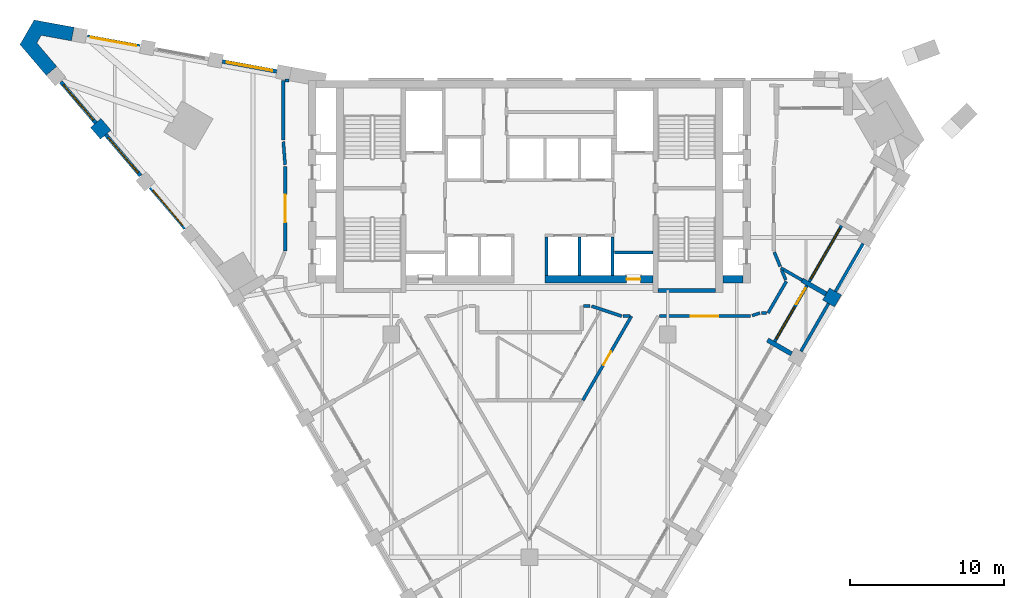
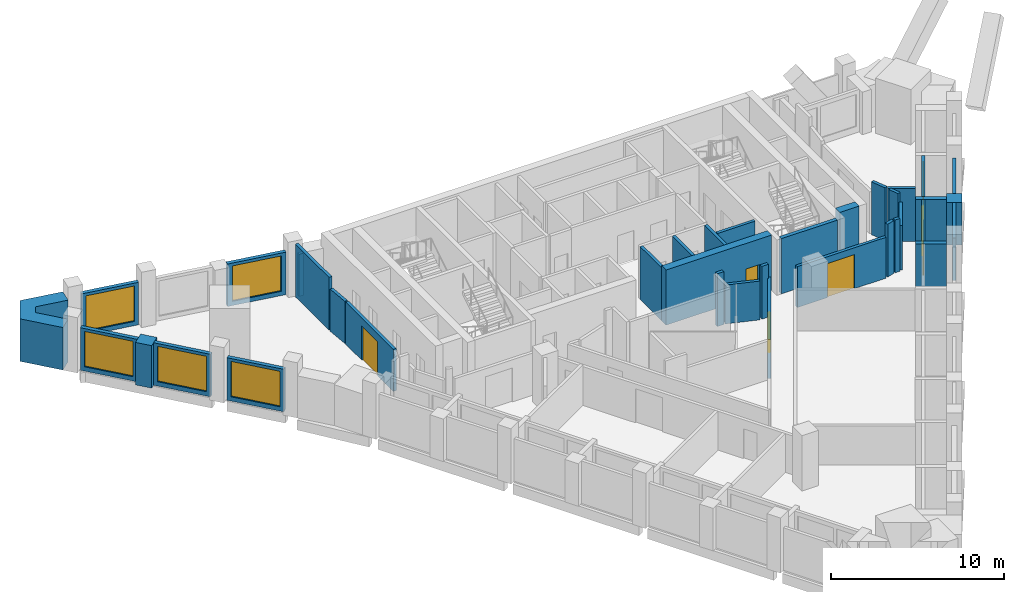
# One storey, part 5 of 9: 36 walls, 7 windows, 5 doors, 12 openings.
"""IFC4 building model written with IfcOpenShell, lengths in metres."""

from ifc_helpers import new_model, si_unit, direction, frame, frame_2d, origin, place, context, subcontext, project, spatial, polyline, rectangle, outline, extrude, material, layer, layer_set, type_object, element, fill, save


model = new_model("IFC4")

# Units and contexts
model_context = context("Model", 3, precision=1e-05, world=origin(), true_north=direction((0.0, 1.0)))
body_context = subcontext(model_context, "Body", "Model", "MODEL_VIEW")
ifc_project = project(units=[si_unit("LENGTHUNIT", "METRE"), si_unit("AREAUNIT", "SQUARE_METRE"), si_unit("VOLUMEUNIT", "CUBIC_METRE"), si_unit("PLANEANGLEUNIT", "RADIAN"), si_unit("MASSUNIT", "GRAM", prefix="KILO")], contexts=[model_context])

# Site, building, storey
site_placement = place(None, origin())
site = spatial("IfcSite", under=ifc_project, at=site_placement, CompositionType="ELEMENT")
building_placement = place(site_placement, origin())
building = spatial("IfcBuilding", under=site, at=building_placement, Name="Calabash Gate Tower", CompositionType="ELEMENT")
storey_placement = place(building_placement, frame((0.0, 0.0, 235.39990234375)))
storey = spatial("IfcBuildingStorey", under=building, at=storey_placement, Name="L56", CompositionType="ELEMENT", Elevation=235.39990234375)

# Walls
ifc_material_1 = material(Name="Terracotta brick masonry, exposed face", Category="masonry")
ifc_layer_1 = layer(ifc_material_1, 0.89990234375)
ifc_layer_set_1 = layer_set([ifc_layer_1], Name="Brick end wall 900")
wall_type_1 = type_object("IfcWallType", Name="Brick end wall 900", PredefinedType="SOLIDWALL", material=ifc_layer_set_1)
wall_1_placement = place(storey_placement, frame((19.306396484375, 5.14013671875, 0.0), z_axis=(0.0, 0.0, 1.0), x_axis=(0.865896406789, -0.500223362819, 0.0)))
element("IfcWall", 1, at=wall_1_placement, inside=storey, type_object=wall_type_1, Name="Brick pier S16 SE2.7", PredefinedType="SOLIDWALL", context=body_context, shape_type="SweptSolid", body=[
    extrude(rectangle(XDim=0.89990234375, YDim=0.89990234375, at=frame_2d((0.449951171875, 0.0))), origin(), (0.0, 0.0, 1.0), 3.0),
])
wall_2_placement = place(storey_placement, frame((-27.587890625, 15.511474609375, 0.0), z_axis=(0.0, 0.0, 1.0), x_axis=(-0.647641360564, 0.761945318305, 0.0)))
element("IfcWall", 2, at=wall_2_placement, inside=storey, type_object=wall_type_1, Name="Brick pier S16 wedge7.1", PredefinedType="SOLIDWALL", context=body_context, shape_type="SweptSolid", body=[
    extrude(rectangle(XDim=1.00390625, YDim=0.89990234375, at=frame_2d((0.501953125, 0.0))), origin(), (0.0, 0.0, 1.0), 3.0),
])
wall_3_placement = place(storey_placement, origin())
element("IfcWall", 3, at=wall_3_placement, inside=storey, type_object=wall_type_1, Name="Brick end wall S16 2", PredefinedType="SOLIDWALL", context=body_context, shape_type="SweptSolid", body=[
    extrude(outline(polyline([(-31.784423828125, 21.978759765625), (-29.816650390625, 21.618896484375), (-29.654541015625, 22.504150390625), (-32.24658203125, 22.978271484375), (-33.168701171875, 21.38134765625), (-31.4619140625, 19.373779296875), (-30.776123046875, 19.956787109375), (-32.072021484375, 21.48095703125), (-31.784423828125, 21.978759765625)])), origin(), (0.0, 0.0, 1.0), 3.0),
])
ifc_material_2 = material(Name="Terracotta brick masonry, exposed face", Category="masonry")
ifc_layer_2 = layer(ifc_material_2, 0.300048828125)
ifc_layer_set_2 = layer_set([ifc_layer_2], Name="Brick loggia cheek wall 300")
wall_type_2 = type_object("IfcWallType", Name="Brick loggia cheek wall 300", PredefinedType="SOLIDWALL", material=ifc_layer_set_2)
wall_4_placement = place(storey_placement, frame((17.05615234375, 1.242919921875, 0.0), z_axis=(0.0, 0.0, 1.0), x_axis=(-0.866013897511, 0.50001992892, 0.0)))
element("IfcWall", 4, at=wall_4_placement, inside=storey, type_object=wall_type_2, Name="Loggia cheek S16 SE2.6", PredefinedType="SOLIDWALL", context=body_context, shape_type="SweptSolid", body=[
    extrude(rectangle(XDim=1.7998046875, YDim=0.300048828125, at=frame_2d((0.89990234375, 0.0))), origin(), (0.0, 0.0, 1.0), 3.0),
])
wall_5_placement = place(storey_placement, frame((19.306396484375, 5.14013671875, 0.0), z_axis=(0.0, 0.0, 1.0), x_axis=(-0.866047807691, 0.499961193289, 0.0)))
element("IfcWall", 5, at=wall_5_placement, inside=storey, type_object=wall_type_2, Name="Loggia cheek S16 SE2.7", PredefinedType="SOLIDWALL", context=body_context, shape_type="SweptSolid", body=[
    extrude(rectangle(XDim=1.800048828125, YDim=0.300048828125, at=frame_2d((0.89990234375, 0.0))), origin(), (0.0, 0.0, 1.0), 3.0),
])
ifc_material_3 = material(Name="Concrete C70/85", Category="concrete")
ifc_layer_3 = layer(ifc_material_3, 0.25)
ifc_layer_set_3 = layer_set([ifc_layer_3], Name="Core wall 250 Concrete C70/85")
wall_type_3 = type_object("IfcWallType", Name="Core wall 250 Concrete C70/85", PredefinedType="SHEAR", material=ifc_layer_set_3)
wall_6_placement = place(storey_placement, frame((8.35009765625, 5.377685546875, 0.0), z_axis=(0.0, 0.0, 1.0), x_axis=(1.0, 0.0, 0.0)))
element("IfcWall", 6, at=wall_6_placement, inside=storey, type_object=wall_type_3, Name="Core wall Z4-SSE L56", PredefinedType="SHEAR", context=body_context, shape_type="SweptSolid", body=[
    extrude(rectangle(XDim=3.75, YDim=0.25, at=frame_2d((1.875, 0.0))), origin(), (0.0, 0.0, 1.0), 3.900146484375),
])

# Wall, opening, door
ifc_material_4 = material(Name="Concrete C70/85", Category="concrete")
ifc_layer_4 = layer(ifc_material_4, 0.5)
ifc_layer_set_4 = layer_set([ifc_layer_4], Name="Core wall 500 Concrete C70/85")
wall_type_4 = type_object("IfcWallType", Name="Core wall 500 Concrete C70/85", PredefinedType="SHEAR", material=ifc_layer_set_4)
wall_7_placement = place(storey_placement, frame((1.0, 6.1025390625, 0.0), z_axis=(0.0, 0.0, 1.0), x_axis=(1.0, 0.0, 0.0)))
wall_7 = element("IfcWall", 7, at=wall_7_placement, inside=storey, type_object=wall_type_4, Name="Core wall Z4-SB L56", PredefinedType="SHEAR", context=body_context, shape_type="SweptSolid", body=[
    extrude(rectangle(XDim=7.050048828125, YDim=0.5, at=frame_2d((3.52490234375, 0.0))), origin(), (0.0, 0.0, 1.0), 3.900146484375),
])
opening_1_placement = place(wall_7_placement, frame((5.324951171875, 0.0, 0.0)))
opening_1 = element("IfcOpeningElement", 8, at=opening_1_placement, cuts=wall_7, Name="Opening O8-015", PredefinedType="OPENING", context=body_context, shape_type="SweptSolid", body=[
    extrude(rectangle(XDim=0.89990234375, YDim=2.10009765625, at=frame_2d((0.449951171875, 1.050048828125))), frame((0.0, 0.260009765625, 0.0), z_axis=(0.0, -1.0, 0.0), x_axis=(1.0, 0.0, 0.0)), (0.0, 0.0, 1.0), 0.52001953125),
])
ifc_material_5 = material(Name="Steel fire door set with fire-resisting glazing", Category="steel")
door_type_1 = type_object("IfcDoorType", Name="Fire door D07 900x2100 FD90", OperationType="NOTDEFINED", PredefinedType="DOOR", material=ifc_material_5)
door_1_placement = place(opening_1_placement, origin())
door_1 = element("IfcDoor", 9, at=door_1_placement, inside=storey, type_object=door_type_1, Name="Mechanical Riser E door", OperationType="SINGLE_SWING_RIGHT", OverallHeight=2.10009765625, OverallWidth=0.89990234375, PredefinedType="DOOR", context=body_context, shape_type="SweptSolid", body=[
    extrude(rectangle(XDim=0.89990234375, YDim=2.10009765625, at=frame_2d((0.449951171875, 1.050048828125))), frame((0.0, 0.02490234375, 0.0), z_axis=(0.0, -1.0, 0.0), x_axis=(1.0, 0.0, 0.0)), (0.0, 0.0, 1.0), 0.050048828125),
])
fill(opening_1, door_1)

# Wall
wall_8_placement = place(storey_placement, frame((12.60009765625, 6.1025390625, 0.0), z_axis=(0.0, 0.0, 1.0), x_axis=(1.0, 0.0, 0.0)))
element("IfcWall", 10, at=wall_8_placement, inside=storey, type_object=wall_type_4, Name="Core wall Z4-SE L56", PredefinedType="SHEAR", context=body_context, shape_type="SweptSolid", body=[
    extrude(rectangle(XDim=1.2998046875, YDim=0.5, at=frame_2d((0.64990234375, 0.0))), origin(), (0.0, 0.0, 1.0), 3.900146484375),
])

# Wall, opening, door
ifc_material_6 = material(Name="Gypsum board on steel studs, mineral wool", Category="steel")
ifc_layer_5 = layer(ifc_material_6, 0.199951171875)
ifc_layer_set_5 = layer_set([ifc_layer_5], Name="Partition 200 gypsum board EI 60")
wall_type_5 = type_object("IfcWallType", Name="Partition 200 gypsum board EI 60", PredefinedType="PARTITIONING", material=ifc_layer_set_5)
wall_9_placement = place(storey_placement, frame((3.476318359375, -1.77783203125, 0.0), z_axis=(0.0, 0.0, 1.0), x_axis=(0.500016482634, 0.866015887322, 0.0)))
wall_9 = element("IfcWall", 11, at=wall_9_placement, inside=storey, type_object=wall_type_5, Name="Partition", PredefinedType="PARTITIONING", context=body_context, shape_type="SweptSolid", body=[
    extrude(rectangle(XDim=6.324951171875, YDim=0.199951171875, at=frame_2d((3.16259765625, 0.0))), origin(), (0.0, 0.0, 1.0), 2.74169921875),
])
opening_2_placement = place(wall_9_placement, frame((2.66259765625, 0.0, 0.0)))
opening_2 = element("IfcOpeningElement", 12, at=opening_2_placement, cuts=wall_9, Name="Opening 55-57-012", PredefinedType="OPENING", context=body_context, shape_type="SweptSolid", body=[
    extrude(rectangle(XDim=1.0, YDim=2.10009765625, at=frame_2d((0.5, 1.050048828125))), frame((0.0, 0.10986328125, 0.0), z_axis=(0.0, -1.0, 0.0), x_axis=(1.0, 0.0, 0.0)), (0.0, 0.0, 1.0), 0.219970703125),
])
ifc_material_7 = material(Name="Steel fire door set with fire-resisting glazing", Category="steel")
door_type_2 = type_object("IfcDoorType", Name="WD3 WC lobby door 1000x2100", OperationType="NOTDEFINED", PredefinedType="DOOR", material=ifc_material_7)
door_2_placement = place(opening_2_placement, origin())
door_2 = element("IfcDoor", 13, at=door_2_placement, inside=storey, type_object=door_type_2, Name="WC lobby door", OperationType="SINGLE_SWING_LEFT", OverallHeight=2.10009765625, OverallWidth=1.0, PredefinedType="DOOR", context=body_context, shape_type="SweptSolid", body=[
    extrude(rectangle(XDim=1.0, YDim=2.10009765625, at=frame_2d((0.5, 1.050048828125))), frame((0.0, 0.02490234375, 0.0), z_axis=(0.0, -1.0, 0.0), x_axis=(1.0, 0.0, 0.0)), (0.0, 0.0, 1.0), 0.050048828125),
])
fill(opening_2, door_2)

# Walls
wall_10_placement = place(storey_placement, frame((4.04150390625, 4.349853515625, 0.0), z_axis=(0.0, 0.0, 1.0), x_axis=(0.949072993984, -0.315056268135, 0.0)))
element("IfcWall", 14, at=wall_10_placement, inside=storey, type_object=wall_type_5, Name="Partition", PredefinedType="PARTITIONING", context=body_context, shape_type="SweptSolid", body=[
    extrude(rectangle(XDim=2.0634765625, YDim=0.199951171875, at=frame_2d((1.03173828125, 0.0))), origin(), (0.0, 0.0, 1.0), 2.74169921875),
])
wall_11_placement = place(storey_placement, frame((6.10009765625, 3.69970703125, 0.0), z_axis=(0.0, 0.0, 1.0), x_axis=(1.0, 0.0, 0.0)))
element("IfcWall", 15, at=wall_11_placement, inside=storey, type_object=wall_type_5, Name="Partition", PredefinedType="PARTITIONING", context=body_context, shape_type="SweptSolid", body=[
    extrude(rectangle(XDim=0.438720703125, YDim=0.199951171875, at=frame_2d((0.21923828125, 0.0))), origin(), (0.0, 0.0, 1.0), 3.72998046875),
])

# Wall, opening, door
wall_12_placement = place(storey_placement, frame((8.4716796875, 3.699462890625, 0.0), z_axis=(0.0, 0.0, 1.0), x_axis=(1.0, 0.0, 0.0)))
wall_12 = element("IfcWall", 16, at=wall_12_placement, inside=storey, type_object=wall_type_5, Name="Partition", PredefinedType="PARTITIONING", context=body_context, shape_type="SweptSolid", body=[
    extrude(rectangle(XDim=5.92822265625, YDim=0.199951171875, at=frame_2d((2.964111328125, 0.0))), origin(), (0.0, 0.0, 1.0), 2.88427734375),
])
opening_3_placement = place(wall_12_placement, frame((2.01416015625, 0.0, 0.0)))
opening_3 = element("IfcOpeningElement", 17, at=opening_3_placement, cuts=wall_12, Name="Opening 55-57-010", PredefinedType="OPENING", context=body_context, shape_type="SweptSolid", body=[
    extrude(rectangle(XDim=1.800048828125, YDim=2.39990234375, at=frame_2d((0.89990234375, 1.199951171875))), frame((0.0, 0.10986328125, 0.0), z_axis=(0.0, -1.0, 0.0), x_axis=(1.0, 0.0, 0.0)), (0.0, 0.0, 1.0), 0.219970703125),
])
ifc_material_8 = material(Name="Steel fire door set with fire-resisting glazing", Category="steel")
door_type_3 = type_object("IfcDoorType", Name="TD1 Tenancy entrance double door 1800x2400", OperationType="NOTDEFINED", PredefinedType="DOOR", material=ifc_material_8)
door_3_placement = place(opening_3_placement, origin())
door_3 = element("IfcDoor", 18, at=door_3_placement, inside=storey, type_object=door_type_3, Name="Tenancy entrance double door", OperationType="DOUBLE_DOOR_SINGLE_SWING", OverallHeight=2.39990234375, OverallWidth=1.800048828125, PredefinedType="DOOR", context=body_context, shape_type="SweptSolid", body=[
    extrude(rectangle(XDim=1.800048828125, YDim=2.39990234375, at=frame_2d((0.89990234375, 1.199951171875))), frame((0.0, 0.02490234375, 0.0), z_axis=(0.0, -1.0, 0.0), x_axis=(1.0, 0.0, 0.0)), (0.0, 0.0, 1.0), 0.050048828125),
])
fill(opening_3, door_3)

# Walls
wall_13_placement = place(storey_placement, frame((14.494873046875, 3.731201171875, 0.0), z_axis=(0.0, 0.0, 1.0), x_axis=(0.948774971537, 0.315952612561, 0.0)))
element("IfcWall", 19, at=wall_13_placement, inside=storey, type_object=wall_type_5, Name="Partition", PredefinedType="PARTITIONING", context=body_context, shape_type="SweptSolid", body=[
    extrude(rectangle(XDim=0.532470703125, YDim=0.199951171875, at=frame_2d((0.26611328125, 0.0))), origin(), (0.0, 0.0, 1.0), 3.72998046875),
])
wall_14_placement = place(storey_placement, frame((15.10009765625, 3.8994140625, 0.0), z_axis=(0.0, 0.0, 1.0), x_axis=(0.99999972727, 0.000738552236, 0.0)))
element("IfcWall", 20, at=wall_14_placement, inside=storey, type_object=wall_type_5, Name="Partition", PredefinedType="PARTITIONING", context=body_context, shape_type="SweptSolid", body=[
    extrude(rectangle(XDim=0.33056640625, YDim=0.199951171875, at=frame_2d((0.165283203125, 0.0))), origin(), (0.0, 0.0, 1.0), 3.72998046875),
])
wall_15_placement = place(storey_placement, frame((15.530517578125, 3.899658203125, 0.0), z_axis=(0.0, 0.0, 1.0), x_axis=(0.500122053881, 0.865954924474, 0.0)))
element("IfcWall", 21, at=wall_15_placement, inside=storey, type_object=wall_type_5, Name="Partition", PredefinedType="PARTITIONING", context=body_context, shape_type="SweptSolid", body=[
    extrude(rectangle(XDim=2.3798828125, YDim=0.199951171875, at=frame_2d((1.18994140625, 0.0))), origin(), (0.0, 0.0, 1.0), 3.128173828125),
])
wall_16_placement = place(storey_placement, frame((3.501953125, 4.350830078125, 0.0), z_axis=(0.0, 0.0, 1.0), x_axis=(0.999996159087, 0.00277160798, 0.0)))
element("IfcWall", 22, at=wall_16_placement, inside=storey, type_object=wall_type_5, Name="Partition", PredefinedType="PARTITIONING", context=body_context, shape_type="SweptSolid", body=[
    extrude(rectangle(XDim=0.4404296875, YDim=0.199951171875, at=frame_2d((0.22021484375, 0.0))), origin(), (0.0, 0.0, 1.0), 3.72998046875),
])
wall_17_placement = place(storey_placement, frame((16.4228515625, 6.687255859375, 0.0), z_axis=(0.0, 0.0, 1.0), x_axis=(0.37899342687, -0.925399363729, 0.0)))
element("IfcWall", 23, at=wall_17_placement, inside=storey, type_object=wall_type_5, Name="Partition", PredefinedType="PARTITIONING", context=body_context, shape_type="SweptSolid", body=[
    extrude(rectangle(XDim=0.685302734375, YDim=0.199951171875, at=frame_2d((0.3427734375, 0.0))), origin(), (0.0, 0.0, 1.0), 3.72998046875),
])
wall_18_placement = place(storey_placement, frame((16.35888671875, 6.83935546875, 0.0), z_axis=(0.0, 0.0, 1.0), x_axis=(0.866578526371, -0.499040737448, 0.0)))
element("IfcWall", 24, at=wall_18_placement, inside=storey, type_object=wall_type_5, Name="Partition", PredefinedType="PARTITIONING", context=body_context, shape_type="SweptSolid", body=[
    extrude(rectangle(XDim=1.602294921875, YDim=0.199951171875, at=frame_2d((0.80126953125, 0.0))), origin(), (0.0, 0.0, 1.0), 3.72998046875),
])
wall_19_placement = place(storey_placement, frame((15.938720703125, 7.860107421875, 0.0), z_axis=(0.0, 0.0, 1.0), x_axis=(0.38186417336, -0.924218455293, 0.0)))
element("IfcWall", 25, at=wall_19_placement, inside=storey, type_object=wall_type_5, Name="Partition", PredefinedType="PARTITIONING", context=body_context, shape_type="SweptSolid", body=[
    extrude(rectangle(XDim=1.00244140625, YDim=0.199951171875, at=frame_2d((0.501220703125, 0.0))), origin(), (0.0, 0.0, 1.0), 3.72998046875),
])

# Wall, opening, door
wall_20_placement = place(storey_placement, frame((-15.900390625, 7.95263671875, 0.0), z_axis=(0.0, 0.0, 1.0), x_axis=(0.0, 1.0, 0.0)))
wall_20 = element("IfcWall", 26, at=wall_20_placement, inside=storey, type_object=wall_type_5, Name="Partition", PredefinedType="PARTITIONING", context=body_context, shape_type="SweptSolid", body=[
    extrude(rectangle(XDim=5.499755859375, YDim=0.199951171875, at=frame_2d((2.75, 0.0))), origin(), (0.0, 0.0, 1.0), 2.9736328125),
])
opening_4_placement = place(wall_20_placement, frame((1.849853515625, 0.0, 0.0)))
opening_4 = element("IfcOpeningElement", 27, at=opening_4_placement, cuts=wall_20, Name="Opening 55-57-006", PredefinedType="OPENING", context=body_context, shape_type="SweptSolid", body=[
    extrude(rectangle(XDim=1.800048828125, YDim=2.39990234375, at=frame_2d((0.89990234375, 1.199951171875))), frame((0.0, 0.10986328125, 0.0), z_axis=(0.0, -1.0, 0.0), x_axis=(1.0, 0.0, 0.0)), (0.0, 0.0, 1.0), 0.219970703125),
])
door_4_placement = place(opening_4_placement, origin())
door_4 = element("IfcDoor", 28, at=door_4_placement, inside=storey, type_object=door_type_3, Name="Tenancy entrance double door", OperationType="DOUBLE_DOOR_SINGLE_SWING", OverallHeight=2.39990234375, OverallWidth=1.800048828125, PredefinedType="DOOR", context=body_context, shape_type="SweptSolid", body=[
    extrude(rectangle(XDim=1.800048828125, YDim=2.39990234375, at=frame_2d((0.89990234375, 1.199951171875))), frame((0.0, 0.02490234375, 0.0), z_axis=(0.0, -1.0, 0.0), x_axis=(1.0, 0.0, 0.0)), (0.0, 0.0, 1.0), 0.050048828125),
])
fill(opening_4, door_4)

# Walls
wall_21_placement = place(storey_placement, frame((-16.024169921875, 15.052978515625, 0.0), z_axis=(0.0, 0.0, 1.0), x_axis=(0.07704378759, -0.997027710143, 0.0)))
element("IfcWall", 29, at=wall_21_placement, inside=storey, type_object=wall_type_5, Name="Partition", PredefinedType="PARTITIONING", context=body_context, shape_type="SweptSolid", body=[
    extrude(rectangle(XDim=1.505126953125, YDim=0.199951171875, at=frame_2d((0.75244140625, 0.0))), origin(), (0.0, 0.0, 1.0), 2.9736328125),
])
wall_22_placement = place(storey_placement, frame((-16.031982421875, 15.152587890625, 0.0), z_axis=(0.0, 0.0, 1.0), x_axis=(0.0, 1.0, 0.0)))
element("IfcWall", 30, at=wall_22_placement, inside=storey, type_object=wall_type_5, Name="Partition", PredefinedType="PARTITIONING", context=body_context, shape_type="SweptSolid", body=[
    extrude(rectangle(XDim=3.900146484375, YDim=0.199951171875, at=frame_2d((1.9501953125, 0.0))), origin(), (0.0, 0.0, 1.0), 3.72998046875),
])
wall_23_placement = place(storey_placement, frame((-15.931884765625, 19.052734375, 0.0), z_axis=(0.0, 0.0, 1.0), x_axis=(1.0, 0.0, 0.0)))
element("IfcWall", 31, at=wall_23_placement, inside=storey, type_object=wall_type_5, Name="Partition", PredefinedType="PARTITIONING", context=body_context, shape_type="SweptSolid", body=[
    extrude(rectangle(XDim=0.28515625, YDim=0.199951171875, at=frame_2d((0.142578125, 0.0))), origin(), (0.0, 0.0, 1.0), 2.9736328125),
])

# Wall, opening, window
ifc_material_9 = material(Name="Aluminium framed window wall with insulated spandrel", Category="aluminium")
ifc_layer_6 = layer(ifc_material_9, 0.25)
ifc_layer_set_6 = layer_set([ifc_layer_6], Name="Prow window wall 250")
wall_type_6 = type_object("IfcWallType", Name="Prow window wall 250", PredefinedType="ELEMENTEDWALL", material=ifc_layer_set_6)
wall_24_placement = place(storey_placement, frame((-16.4560546875, 19.631591796875, 0.0), z_axis=(0.0, 0.0, 1.0), x_axis=(-0.983669647318, 0.17998340186, 0.0)))
wall_24 = element("IfcWall", 32, at=wall_24_placement, inside=storey, type_object=wall_type_6, Name="Prow window wall S16 wedge5.1", PredefinedType="ELEMENTEDWALL", context=body_context, shape_type="SweptSolid", body=[
    extrude(rectangle(XDim=3.60009765625, YDim=0.25, at=frame_2d((1.800048828125, 0.0))), origin(), (0.0, 0.0, 1.0), 3.0),
])
opening_5_placement = place(wall_24_placement, frame((0.300048828125, 0.0, 0.300048828125)))
opening_5 = element("IfcOpeningElement", 33, at=opening_5_placement, cuts=wall_24, Name="Opening WP2", PredefinedType="OPENING", context=body_context, shape_type="SweptSolid", body=[
    extrude(rectangle(XDim=3.0, YDim=2.5, at=frame_2d((1.5, 1.25))), frame((0.0, 0.135009765625, 0.0), z_axis=(0.0, -1.0, 0.0), x_axis=(1.0, 0.0, 0.0)), (0.0, 0.0, 1.0), 0.27001953125),
])
ifc_material_10 = material(Name="Anodised aluminium frame, bronze finish, impact-rated laminated clear glazing", Category="aluminium")
window_type_1 = type_object("IfcWindowType", Name="Window WP2 3000x2500", PartitioningType="DOUBLE_PANEL_VERTICAL", PredefinedType="WINDOW", material=ifc_material_10)
window_1_placement = place(opening_5_placement, origin())
window_1 = element("IfcWindow", 34, at=window_1_placement, inside=storey, type_object=window_type_1, Name="Prow window WP2 S16 wedge5.1", OverallHeight=2.5, OverallWidth=3.0, PartitioningType="SINGLE_PANEL", PredefinedType="WINDOW", context=body_context, shape_type="SweptSolid", body=[
    extrude(rectangle(XDim=3.0, YDim=2.5, at=frame_2d((1.5, 1.25))), frame((0.0, 0.030029296875, 0.0), z_axis=(0.0, -1.0, 0.0), x_axis=(1.0, 0.0, 0.0)), (0.0, 0.0, 1.0), 0.06005859375),
])
fill(opening_5, window_1)

wall_25_placement = place(storey_placement, frame((-25.3583984375, 21.260498046875, 0.0), z_axis=(0.0, 0.0, 1.0), x_axis=(-0.983672889292, 0.179965682483, 0.0)))
wall_25 = element("IfcWall", 35, at=wall_25_placement, inside=storey, type_object=wall_type_6, Name="Prow window wall S16 wedge5.3", PredefinedType="ELEMENTEDWALL", context=body_context, shape_type="SweptSolid", body=[
    extrude(rectangle(XDim=3.5, YDim=0.25, at=frame_2d((1.75, 0.0))), origin(), (0.0, 0.0, 1.0), 3.0),
])
opening_6_placement = place(wall_25_placement, frame((0.25, 0.0, 0.300048828125)))
opening_6 = element("IfcOpeningElement", 36, at=opening_6_placement, cuts=wall_25, Name="Opening WP2", PredefinedType="OPENING", context=body_context, shape_type="SweptSolid", body=[
    extrude(rectangle(XDim=3.0, YDim=2.5, at=frame_2d((1.5, 1.25))), frame((0.0, 0.135009765625, 0.0), z_axis=(0.0, -1.0, 0.0), x_axis=(1.0, 0.0, 0.0)), (0.0, 0.0, 1.0), 0.27001953125),
])
window_2_placement = place(opening_6_placement, origin())
window_2 = element("IfcWindow", 37, at=window_2_placement, inside=storey, type_object=window_type_1, Name="Prow window WP2 S16 wedge5.3", OverallHeight=2.5, OverallWidth=3.0, PartitioningType="SINGLE_PANEL", PredefinedType="WINDOW", context=body_context, shape_type="SweptSolid", body=[
    extrude(rectangle(XDim=3.0, YDim=2.5, at=frame_2d((1.5, 1.25))), frame((0.0, 0.030029296875, 0.0), z_axis=(0.0, -1.0, 0.0), x_axis=(1.0, 0.0, 0.0)), (0.0, 0.0, 1.0), 0.06005859375),
])
fill(opening_6, window_2)

wall_26_placement = place(storey_placement, frame((-30.503662109375, 18.94140625, 0.0), z_axis=(0.0, 0.0, 1.0), x_axis=(0.647701065937, -0.761894565661, 0.0)))
wall_26 = element("IfcWall", 38, at=wall_26_placement, inside=storey, type_object=wall_type_6, Name="Prow window wall S16 wedge7.1", PredefinedType="ELEMENTEDWALL", context=body_context, shape_type="SweptSolid", body=[
    extrude(rectangle(XDim=3.499755859375, YDim=0.25, at=frame_2d((1.75, 0.0))), origin(), (0.0, 0.0, 1.0), 3.0),
])
opening_7_placement = place(wall_26_placement, frame((0.25, 0.0, 0.300048828125)))
opening_7 = element("IfcOpeningElement", 39, at=opening_7_placement, cuts=wall_26, Name="Opening WP2", PredefinedType="OPENING", context=body_context, shape_type="SweptSolid", body=[
    extrude(rectangle(XDim=3.0, YDim=2.5, at=frame_2d((1.5, 1.25))), frame((0.0, 0.135009765625, 0.0), z_axis=(0.0, -1.0, 0.0), x_axis=(1.0, 0.0, 0.0)), (0.0, 0.0, 1.0), 0.27001953125),
])
window_3_placement = place(opening_7_placement, origin())
window_3 = element("IfcWindow", 40, at=window_3_placement, inside=storey, type_object=window_type_1, Name="Prow window WP2 S16 wedge7.1", OverallHeight=2.5, OverallWidth=3.0, PartitioningType="SINGLE_PANEL", PredefinedType="WINDOW", context=body_context, shape_type="SweptSolid", body=[
    extrude(rectangle(XDim=3.0, YDim=2.5, at=frame_2d((1.5, 1.25))), frame((0.0, 0.030029296875, 0.0), z_axis=(0.0, -1.0, 0.0), x_axis=(1.0, 0.0, 0.0)), (0.0, 0.0, 1.0), 0.06005859375),
])
fill(opening_7, window_3)

wall_27_placement = place(storey_placement, frame((-27.589111328125, 15.512939453125, 0.0), z_axis=(0.0, 0.0, 1.0), x_axis=(0.647741556426, -0.761860142073, 0.0)))
wall_27 = element("IfcWall", 41, at=wall_27_placement, inside=storey, type_object=wall_type_6, Name="Prow window wall S16 wedge7.2", PredefinedType="ELEMENTEDWALL", context=body_context, shape_type="SweptSolid", body=[
    extrude(rectangle(XDim=3.5, YDim=0.25, at=frame_2d((1.75, 0.0))), origin(), (0.0, 0.0, 1.0), 3.0),
])
opening_8_placement = place(wall_27_placement, frame((0.25, 0.0, 0.300048828125)))
opening_8 = element("IfcOpeningElement", 42, at=opening_8_placement, cuts=wall_27, Name="Opening WP2", PredefinedType="OPENING", context=body_context, shape_type="SweptSolid", body=[
    extrude(rectangle(XDim=3.0, YDim=2.5, at=frame_2d((1.5, 1.25))), frame((0.0, 0.135009765625, 0.0), z_axis=(0.0, -1.0, 0.0), x_axis=(1.0, 0.0, 0.0)), (0.0, 0.0, 1.0), 0.27001953125),
])
window_4_placement = place(opening_8_placement, origin())
window_4 = element("IfcWindow", 43, at=window_4_placement, inside=storey, type_object=window_type_1, Name="Prow window WP2 S16 wedge7.2", OverallHeight=2.5, OverallWidth=3.0, PartitioningType="SINGLE_PANEL", PredefinedType="WINDOW", context=body_context, shape_type="SweptSolid", body=[
    extrude(rectangle(XDim=3.0, YDim=2.5, at=frame_2d((1.5, 1.25))), frame((0.0, 0.030029296875, 0.0), z_axis=(0.0, -1.0, 0.0), x_axis=(1.0, 0.0, 0.0)), (0.0, 0.0, 1.0), 0.06005859375),
])
fill(opening_8, window_4)

wall_28_placement = place(storey_placement, frame((-24.67431640625, 12.08447265625, 0.0), z_axis=(0.0, 0.0, 1.0), x_axis=(0.647701065937, -0.761894565661, 0.0)))
wall_28 = element("IfcWall", 44, at=wall_28_placement, inside=storey, type_object=wall_type_6, Name="Prow window wall S16 wedge7.3", PredefinedType="ELEMENTEDWALL", context=body_context, shape_type="SweptSolid", body=[
    extrude(rectangle(XDim=3.499755859375, YDim=0.25, at=frame_2d((1.75, 0.0))), origin(), (0.0, 0.0, 1.0), 3.0),
])
opening_9_placement = place(wall_28_placement, frame((0.25, 0.0, 0.300048828125)))
opening_9 = element("IfcOpeningElement", 45, at=opening_9_placement, cuts=wall_28, Name="Opening WP2", PredefinedType="OPENING", context=body_context, shape_type="SweptSolid", body=[
    extrude(rectangle(XDim=3.0, YDim=2.5, at=frame_2d((1.5, 1.25))), frame((0.0, 0.135009765625, 0.0), z_axis=(0.0, -1.0, 0.0), x_axis=(1.0, 0.0, 0.0)), (0.0, 0.0, 1.0), 0.27001953125),
])
window_5_placement = place(opening_9_placement, origin())
window_5 = element("IfcWindow", 46, at=window_5_placement, inside=storey, type_object=window_type_1, Name="Prow window WP2 S16 wedge7.3", OverallHeight=2.5, OverallWidth=3.0, PartitioningType="SINGLE_PANEL", PredefinedType="WINDOW", context=body_context, shape_type="SweptSolid", body=[
    extrude(rectangle(XDim=3.0, YDim=2.5, at=frame_2d((1.5, 1.25))), frame((0.0, 0.030029296875, 0.0), z_axis=(0.0, -1.0, 0.0), x_axis=(1.0, 0.0, 0.0)), (0.0, 0.0, 1.0), 0.06005859375),
])
fill(opening_9, window_5)

# Walls
ifc_material_11 = material(Name="Concrete C40/50", Category="concrete")
ifc_layer_7 = layer(ifc_material_11, 0.199951171875)
ifc_layer_set_7 = layer_set([ifc_layer_7], Name="Shaft wall 200 Concrete C40/50")
wall_type_7 = type_object("IfcWallType", Name="Shaft wall 200 Concrete C40/50", PredefinedType="SOLIDWALL", material=ifc_layer_set_7)
for number, where, z_axis, x_axis, name in (
    (47, (1.10009765625, 6.3525390625, 0.0), (0.0, 0.0, 1.0), (0.0, 1.0, 0.0), "Shaft wall"),
    (48, (3.25, 6.3525390625, 0.0), (0.0, 0.0, 1.0), (0.0, 1.0, 0.0), "Shaft wall"),
    (49, (5.39990234375, 6.3525390625, 0.0), (0.0, 0.0, 1.0), (0.0, 1.0, 0.0), "Shaft wall"),
    (50, (5.550048828125, 7.8525390625, 0.0), (0.0, 0.0, 1.0), (1.0, 0.0, 0.0), "Shaft wall"),
):
    element("IfcWall", number, at=place(storey_placement, frame(where, z_axis=z_axis, x_axis=x_axis)), inside=storey, type_object=wall_type_7, Name=name, PredefinedType="SOLIDWALL", context=body_context, shape_type="SweptSolid", body=[
        extrude(rectangle(XDim=2.5, YDim=0.199951171875, at=frame_2d((1.25, 0.0))), origin(), (0.0, 0.0, 1.0), 3.72998046875),
    ])
ifc_material_12 = material(Name="Terracotta brick masonry, perforated", Category="masonry")
ifc_layer_8 = layer(ifc_material_12, 0.199951171875)
ifc_layer_set_8 = layer_set([ifc_layer_8], Name="Terracotta jaali screen B")
wall_type_8 = type_object("IfcWallType", Name="Terracotta jaali screen B", PredefinedType="SOLIDWALL", material=ifc_layer_set_8)
for number, where, z_axis, x_axis, name in (
    (51, (17.6708984375, 1.40771484375, 0.0), (0.0, 0.0, 1.0), (0.500012057535, 0.866018442252, 0.0), "SCREEN B S16 SE2.7"),
    (52, (19.9208984375, 5.3046875, 0.0), (0.0, 0.0, 1.0), (0.500012057535, 0.866018442252, 0.0), "SCREEN B S16 SE2.8"),
):
    element("IfcWall", number, at=place(storey_placement, frame(where, z_axis=z_axis, x_axis=x_axis)), inside=storey, type_object=wall_type_8, Name=name, PredefinedType="SOLIDWALL", context=body_context, shape_type="SweptSolid", body=[
        extrude(rectangle(XDim=3.60009765625, YDim=0.199951171875, at=frame_2d((1.800048828125, 0.0))), origin(), (0.0, 0.0, 1.0), 3.0),
    ])

# Wall, openings, door, window
ifc_material_13 = material(Name="Aluminium framed window wall with insulated spandrel", Category="aluminium")
ifc_layer_9 = layer(ifc_material_13, 0.199951171875)
ifc_layer_set_9 = layer_set([ifc_layer_9], Name="Window wall 200")
wall_type_9 = type_object("IfcWallType", Name="Window wall 200", PredefinedType="ELEMENTEDWALL", material=ifc_layer_set_9)
wall_29_placement = place(storey_placement, frame((15.962158203125, 2.0478515625, 0.0), z_axis=(0.0, 0.0, 1.0), x_axis=(0.500027713859, 0.866009402589, 0.0)))
wall_29 = element("IfcWall", 53, at=wall_29_placement, inside=storey, type_object=wall_type_9, Name="Window wall S16 SE2.7", PredefinedType="ELEMENTEDWALL", context=body_context, shape_type="SweptSolid", body=[
    extrude(rectangle(XDim=4.199951171875, YDim=0.199951171875, at=frame_2d((2.10009765625, 0.0))), origin(), (0.0, 0.0, 1.0), 3.0),
])
opening_10_placement = place(wall_29_placement, frame((0.199951171875, 0.0, 0.449951171875)))
opening_10 = element("IfcOpeningElement", 54, at=opening_10_placement, cuts=wall_29, Name="Opening OW1", PredefinedType="OPENING", context=body_context, shape_type="SweptSolid", body=[
    extrude(rectangle(XDim=2.39990234375, YDim=2.25, at=frame_2d((1.199951171875, 1.125))), frame((0.0, 0.10986328125, 0.0), z_axis=(0.0, -1.0, 0.0), x_axis=(1.0, 0.0, 0.0)), (0.0, 0.0, 1.0), 0.219970703125),
])
opening_11_placement = place(wall_29_placement, frame((2.800048828125, 0.0, 0.0)))
opening_11 = element("IfcOpeningElement", 55, at=opening_11_placement, cuts=wall_29, Name="Opening O8-024", PredefinedType="OPENING", context=body_context, shape_type="SweptSolid", body=[
    extrude(rectangle(XDim=1.199951171875, YDim=2.699951171875, at=frame_2d((0.60009765625, 1.35009765625))), frame((0.0, 0.10986328125, 0.0), z_axis=(0.0, -1.0, 0.0), x_axis=(1.0, 0.0, 0.0)), (0.0, 0.0, 1.0), 0.219970703125),
])
ifc_material_14 = material(Name="Anodised aluminium frame, bronze finish, impact-rated laminated clear glazing", Category="aluminium")
door_type_4 = type_object("IfcDoorType", Name="Loggia door DO1 1200x2700", OperationType="SLIDING_TO_LEFT", PredefinedType="DOOR", material=ifc_material_14)
door_5_placement = place(opening_11_placement, origin())
door_5 = element("IfcDoor", 56, at=door_5_placement, inside=storey, type_object=door_type_4, Name="Loggia door S16 SE2.7", OperationType="SINGLE_SWING_LEFT", OverallHeight=2.699951171875, OverallWidth=1.199951171875, PredefinedType="DOOR", context=body_context, shape_type="SweptSolid", body=[
    extrude(rectangle(XDim=1.199951171875, YDim=2.699951171875, at=frame_2d((0.60009765625, 1.35009765625))), frame((0.0, 0.02490234375, 0.0), z_axis=(0.0, -1.0, 0.0), x_axis=(1.0, 0.0, 0.0)), (0.0, 0.0, 1.0), 0.050048828125),
])
fill(opening_11, door_5)
ifc_material_15 = material(Name="Anodised aluminium frame, bronze finish, impact-rated laminated clear glazing", Category="aluminium")
window_type_2 = type_object("IfcWindowType", Name="Window OW1 2400x2250", PartitioningType="DOUBLE_PANEL_VERTICAL", PredefinedType="WINDOW", material=ifc_material_15)
window_6_placement = place(opening_10_placement, origin())
window_6 = element("IfcWindow", 57, at=window_6_placement, inside=storey, type_object=window_type_2, Name="Window OW1 S16 SE2.7", OverallHeight=2.25, OverallWidth=2.39990234375, PartitioningType="SINGLE_PANEL", PredefinedType="WINDOW", context=body_context, shape_type="SweptSolid", body=[
    extrude(rectangle(XDim=2.39990234375, YDim=2.25, at=frame_2d((1.199951171875, 1.125))), frame((0.0, 0.030029296875, 0.0), z_axis=(0.0, -1.0, 0.0), x_axis=(1.0, 0.0, 0.0)), (0.0, 0.0, 1.0), 0.06005859375),
])
fill(opening_10, window_6)

# Wall, opening, window
wall_30_placement = place(storey_placement, frame((18.212158203125, 5.94482421875, 0.0), z_axis=(0.0, 0.0, 1.0), x_axis=(0.500002543286, 0.866023935413, 0.0)))
wall_30 = element("IfcWall", 58, at=wall_30_placement, inside=storey, type_object=wall_type_9, Name="Window wall S16 SE2.8", PredefinedType="ELEMENTEDWALL", context=body_context, shape_type="SweptSolid", body=[
    extrude(rectangle(XDim=4.2001953125, YDim=0.199951171875, at=frame_2d((2.10009765625, 0.0))), origin(), (0.0, 0.0, 1.0), 2.9501953125),
])
opening_12_placement = place(wall_30_placement, frame((0.199951171875, 0.0, 0.449951171875)))
opening_12 = element("IfcOpeningElement", 59, at=opening_12_placement, cuts=wall_30, Name="Opening OW2", PredefinedType="OPENING", context=body_context, shape_type="SweptSolid", body=[
    extrude(rectangle(XDim=3.800048828125, YDim=2.25, at=frame_2d((1.89990234375, 1.125))), frame((0.0, 0.10986328125, 0.0), z_axis=(0.0, -1.0, 0.0), x_axis=(1.0, 0.0, 0.0)), (0.0, 0.0, 1.0), 0.219970703125),
])
ifc_material_16 = material(Name="Anodised aluminium frame, bronze finish, impact-rated laminated clear glazing", Category="aluminium")
window_type_3 = type_object("IfcWindowType", Name="Window OW2 3800x2250", PartitioningType="TRIPLE_PANEL_VERTICAL", PredefinedType="WINDOW", material=ifc_material_16)
window_7_placement = place(opening_12_placement, origin())
window_7 = element("IfcWindow", 60, at=window_7_placement, inside=storey, type_object=window_type_3, Name="Window OW2 S16 SE2.8", OverallHeight=2.25, OverallWidth=3.800048828125, PartitioningType="SINGLE_PANEL", PredefinedType="WINDOW", context=body_context, shape_type="SweptSolid", body=[
    extrude(rectangle(XDim=3.800048828125, YDim=2.25, at=frame_2d((1.89990234375, 1.125))), frame((0.0, 0.030029296875, 0.0), z_axis=(0.0, -1.0, 0.0), x_axis=(1.0, 0.0, 0.0)), (0.0, 0.0, 1.0), 0.06005859375),
])
fill(opening_12, window_7)

save(model, "model.ifc")
